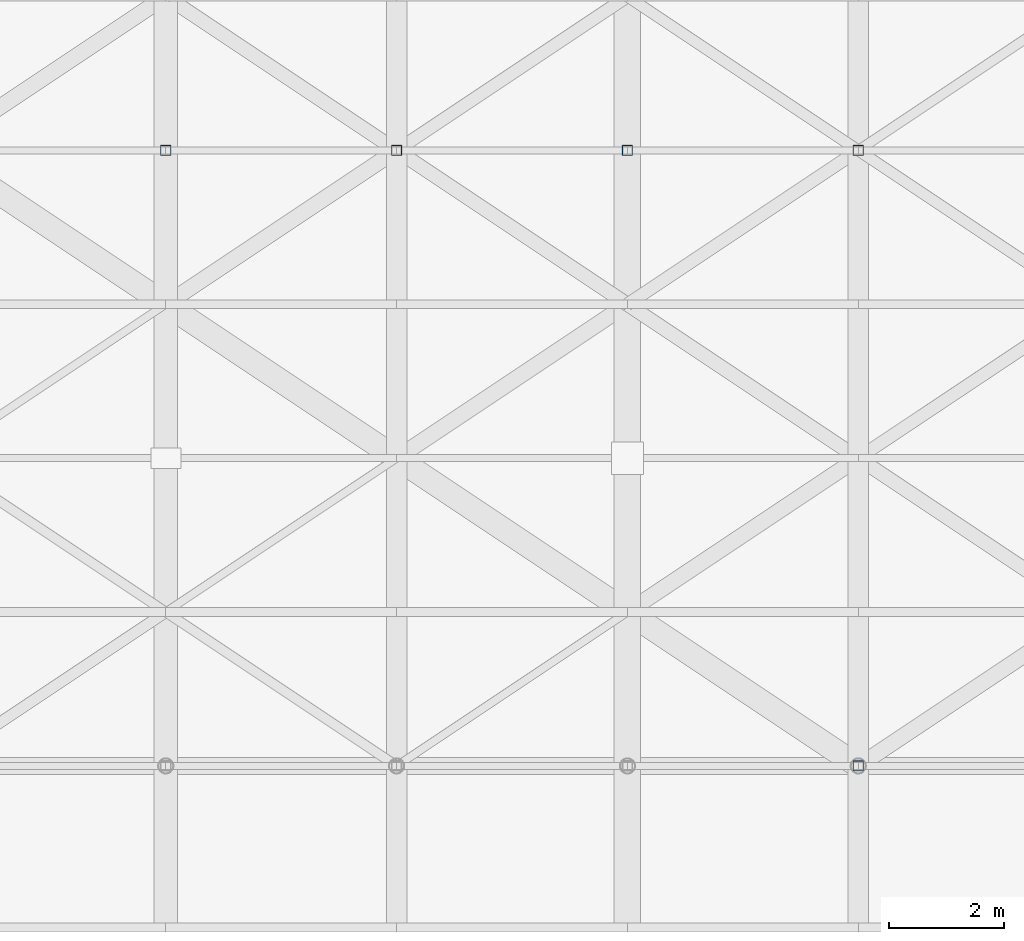
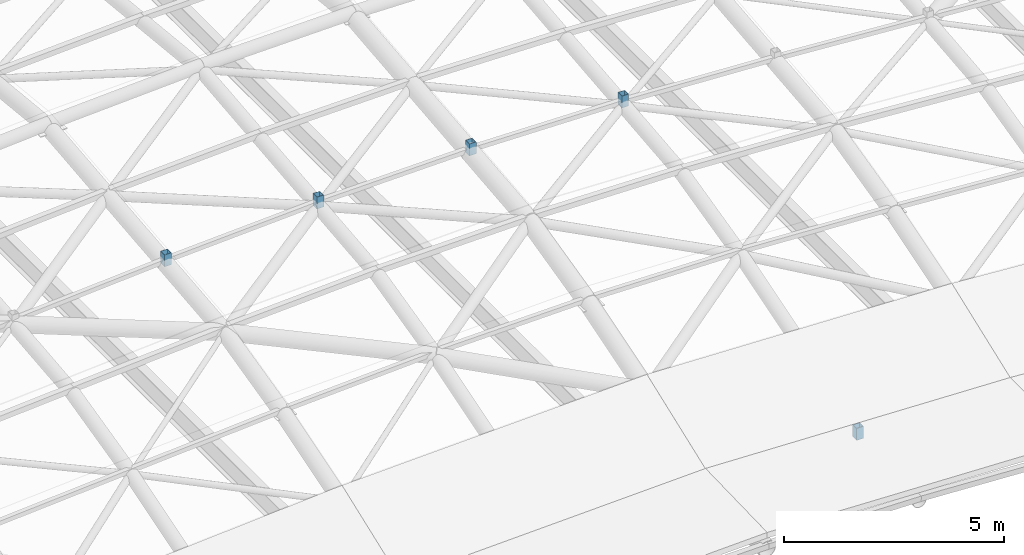
# One storey, part 13 of 20: 5 members.
"""IFC4 building model written with IfcOpenShell, lengths in metres."""

from ifc_helpers import new_model, si_unit, direction, frame, origin, origin_2d, place, context, subcontext, project, spatial, hollow_rectangle, extrude, material, material_profile, profile_set, type_object, element, save


model = new_model("IFC4")

# Units and contexts
model_context = context("Model", 3, precision=1e-05, world=origin(), true_north=direction((0.0, 1.0)))
body_context = subcontext(model_context, "Body", "Model", "MODEL_VIEW")
ifc_project = project(units=[si_unit("LENGTHUNIT", "METRE"), si_unit("AREAUNIT", "SQUARE_METRE"), si_unit("VOLUMEUNIT", "CUBIC_METRE"), si_unit("PLANEANGLEUNIT", "RADIAN"), si_unit("MASSUNIT", "GRAM", prefix="KILO")], contexts=[model_context])

# Site, building, storey
site_placement = place(None, origin())
site = spatial("IfcSite", under=ifc_project, at=site_placement, CompositionType="ELEMENT")
building_placement = place(site_placement, origin())
building = spatial("IfcBuilding", under=site, at=building_placement, Name="Tenunan Teduh Sports Hall", CompositionType="ELEMENT")
storey_placement = place(building_placement, frame((0.0, 0.0, 23.39990234375)))
storey = spatial("IfcBuildingStorey", under=building, at=storey_placement, Name="RF", CompositionType="ELEMENT", Elevation=23.39990234375)

# Members
ifc_material = material(Name="Steel S355", Category="steel")
ifc_material_profile = material_profile(ifc_material, hollow_rectangle(XDim=0.179931640625, YDim=0.179931640625, WallThickness=0.010009765625, at=origin_2d()), Name="SHS 180x180x10.0")
ifc_profile_set = profile_set([ifc_material_profile], Name="Steel S355")
member_type = type_object("IfcMemberType", Name="MEM-ST-SHS180", PredefinedType="STRUT", material=ifc_profile_set)
for number, where, z_axis, x_axis, name in (
    (1, (22.0, 24.666748046875, 3.1943359375), (0.0, 0.0, 1.0), (1.0, 0.0, 0.0), "MEM-VS-03-RF-0445"),
    (2, (26.0, 24.666748046875, 3.3974609375), (0.0, 0.0, 1.0), (1.0, 0.0, 0.0), "MEM-VS-03-RF-0453"),
    (3, (30.0, 24.666748046875, 3.4716796875), (0.0, 0.0, 1.0), (1.0, 0.0, 0.0), "MEM-VS-03-RF-0461"),
    (4, (34.0, 14.0, 0.6474609375), (0.0, 0.0, 1.0), (1.0, 0.0, 0.0), "MEM-VS-03-RF-0468"),
    (5, (34.0, 24.666748046875, 3.3974609375), (0.0, 0.0, 1.0), (1.0, 0.0, 0.0), "MEM-VS-03-RF-0469"),
):
    element("IfcMember", number, at=place(storey_placement, frame(where, z_axis=z_axis, x_axis=x_axis)), inside=storey, type_object=member_type, Name=name, PredefinedType="STRUT", context=body_context, shape_type="SweptSolid", body=[
        extrude(hollow_rectangle(XDim=0.179931640625, YDim=0.179931640625, WallThickness=0.010009765625, at=origin_2d()), origin(), (0.0, 0.0, 1.0), 0.330078125),
    ])

save(model, "model.ifc")
